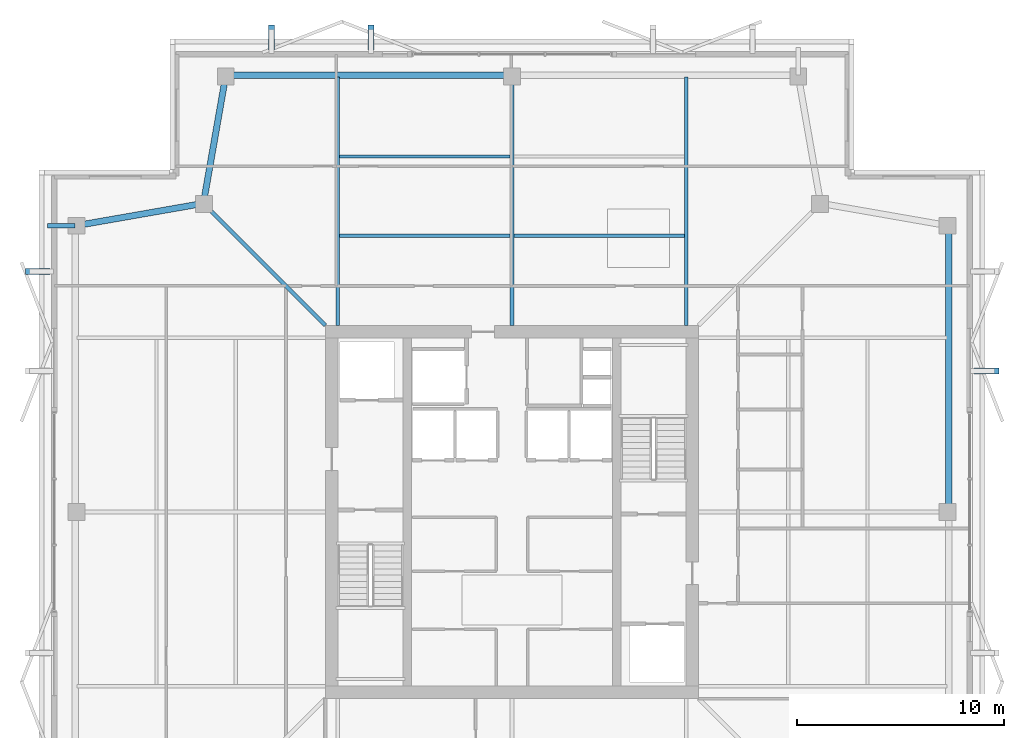
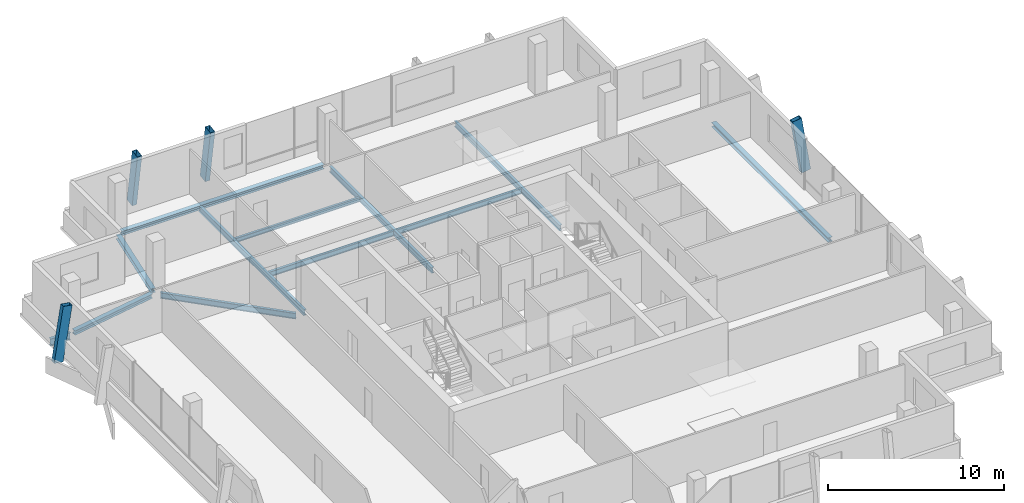
# One storey, part 9 of 17: 12 beams, 4 members.
"""IFC4 building model written with IfcOpenShell, lengths in metres."""

from ifc_helpers import new_model, si_unit, direction, frame, origin, origin_2d, place, context, subcontext, project, spatial, hollow_rectangle, i_section, extrude, material, material_profile, profile_set, type_object, element, save


model = new_model("IFC4")

# Units and contexts
model_context = context("Model", 3, precision=1e-05, world=origin(), true_north=direction((0.0, 1.0)))
body_context = subcontext(model_context, "Body", "Model", "MODEL_VIEW")
ifc_project = project(units=[si_unit("LENGTHUNIT", "METRE"), si_unit("AREAUNIT", "SQUARE_METRE"), si_unit("VOLUMEUNIT", "CUBIC_METRE"), si_unit("PLANEANGLEUNIT", "RADIAN"), si_unit("MASSUNIT", "GRAM", prefix="KILO")], contexts=[model_context])

# Site, building, storey
site_placement = place(None, origin())
site = spatial("IfcSite", under=ifc_project, at=site_placement, CompositionType="ELEMENT")
building_placement = place(site_placement, origin())
building = spatial("IfcBuilding", under=site, at=building_placement, Name="Belovzor Exchange Tower", CompositionType="ELEMENT")
storey_placement = place(building_placement, frame((0.0, 0.0, 333.0)))
storey = spatial("IfcBuildingStorey", under=building, at=storey_placement, Name="L83", CompositionType="ELEMENT", Elevation=333.0)

# Beams
ifc_material_1 = material(Name="Steel S355", Category="steel")
ifc_material_profile_1 = material_profile(ifc_material_1, i_section(OverallWidth=0.199951171875, OverallDepth=0.5, WebThickness=0.01025390625, FlangeThickness=0.01611328125, at=origin_2d()))
ifc_profile_set_1 = profile_set([ifc_material_profile_1], Name="Steel S355")
beam_type_1 = type_object("IfcBeamType", Name="Planted Balcony Cantilever Beam IPE 500", PredefinedType="BEAM", material=ifc_profile_set_1)
beam_1_placement = place(storey_placement, frame((7.721923828125, 42.60009765625, -0.489990234375), z_axis=(-1.0, 0.0, 0.0), x_axis=(0.0, -1.0, 0.0)))
element("IfcBeam", 1, at=beam_1_placement, inside=storey, type_object=beam_type_1, Name="BC-500 Planted Balcony Cantilever Beam IPE 500", PredefinedType="BEAM", context=body_context, shape_type="SweptSolid", body=[
    extrude(i_section(OverallWidth=0.199951171875, OverallDepth=0.5, WebThickness=0.01025390625, FlangeThickness=0.01611328125, at=origin_2d()), origin(), (0.0, 0.0, 1.0), 1.322021484375),
])
ifc_material_2 = material(Name="Steel S355", Category="steel")
ifc_material_profile_2 = material_profile(ifc_material_2, i_section(OverallWidth=0.169921875, OverallDepth=0.360107421875, WebThickness=0.008056640625, FlangeThickness=0.0126953125, at=origin_2d()))
ifc_profile_set_2 = profile_set([ifc_material_profile_2], Name="Steel S355")
beam_type_2 = type_object("IfcBeamType", Name="Secondary Infill Floor Joist IPE 360", PredefinedType="BEAM", material=ifc_profile_set_2)
beam_2_placement = place(storey_placement, frame((20.489990234375, 42.114990234375, -0.419921875), z_axis=(1.0, 0.0, 0.0), x_axis=(0.0, 1.0, 0.0)))
element("IfcBeam", 2, at=beam_2_placement, inside=storey, type_object=beam_type_2, Name="FJ-360 Secondary Infill Floor Joist IPE 360", PredefinedType="BEAM", context=body_context, shape_type="SweptSolid", body=[
    extrude(i_section(OverallWidth=0.169921875, OverallDepth=0.360107421875, WebThickness=0.008056640625, FlangeThickness=0.0126953125, at=origin_2d()), origin(), (0.0, 0.0, 1.0), 8.219970703125),
])
beam_3_placement = place(storey_placement, frame((28.889892578125, 42.114990234375, -0.419921875), z_axis=(1.0, 0.0, 0.0), x_axis=(0.0, 1.0, 0.0)))
element("IfcBeam", 3, at=beam_3_placement, inside=storey, type_object=beam_type_2, Name="FJ-360 Secondary Infill Floor Joist IPE 360", PredefinedType="BEAM", context=body_context, shape_type="SweptSolid", body=[
    extrude(i_section(OverallWidth=0.169921875, OverallDepth=0.360107421875, WebThickness=0.008056640625, FlangeThickness=0.0126953125, at=origin_2d()), origin(), (0.0, 0.0, 1.0), 8.22021484375),
])
ifc_material_3 = material(Name="Steel S355", Category="steel")
ifc_material_profile_3 = material_profile(ifc_material_3, i_section(OverallWidth=0.14990234375, OverallDepth=0.300048828125, WebThickness=0.007080078125, FlangeThickness=0.0107421875, at=origin_2d()))
ifc_profile_set_3 = profile_set([ifc_material_profile_3], Name="Steel S355")
beam_type_3 = type_object("IfcBeamType", Name="Secondary Trim Floor Joist IPE 300", PredefinedType="BEAM", material=ifc_profile_set_3)
beam_4_placement = place(storey_placement, frame((20.489990234375, 45.950927734375, -0.389892578125), z_axis=(1.0, 0.0, 0.0), x_axis=(0.0, 1.0, 0.0)))
element("IfcBeam", 4, at=beam_4_placement, inside=storey, type_object=beam_type_3, Name="FJ-300 Secondary Trim Floor Joist IPE 300", PredefinedType="BEAM", context=body_context, shape_type="SweptSolid", body=[
    extrude(i_section(OverallWidth=0.14990234375, OverallDepth=0.300048828125, WebThickness=0.007080078125, FlangeThickness=0.0107421875, at=origin_2d()), origin(), (0.0, 0.0, 1.0), 8.219970703125),
])

# Members
ifc_material_4 = material(Name="Extruded Architectural Terracotta on Steel S355 Carrier", Category="masonry")
ifc_material_profile_4 = material_profile(ifc_material_4, hollow_rectangle(XDim=0.300048828125, YDim=0.60009765625, WallThickness=0.01611328125, at=origin_2d()))
ifc_profile_set_4 = profile_set([ifc_material_profile_4], Name="Extruded Architectural Terracotta on Steel S355 Carrier")
member_type = type_object("IfcMemberType", Name="Upper Crown Terracotta Fin Assembly 550", PredefinedType="USERDEFINED", material=ifc_profile_set_4)
for number, where, z_axis, x_axis, name in (
    (5, (17.199951171875, 51.97509765625, -0.239990234375), (0.0, -0.158015573692, 0.987436619977), (1.0, 0.0, 0.0), "FIN-TC055 Terracotta Facade Fin L83 N1"),
    (6, (22.0, 51.97509765625, -0.239990234375), (0.0, -0.158015573692, 0.987436619977), (1.0, 0.0, 0.0), "FIN-TC055 Terracotta Facade Fin L83 N2"),
    (7, (51.97509765625, 35.60009765625, -0.239990234375), (-0.158015573692, 0.0, 0.987436619977), (0.0, -1.0, 0.0), "FIN-TC055 Terracotta Facade Fin L83 E3"),
    (8, (5.625, 40.39990234375, -0.239990234375), (0.158015573692, 0.0, 0.987436619977), (0.0, 1.0, 0.0), "FIN-TC055 Terracotta Facade Fin L83 W4"),
):
    element("IfcMember", number, at=place(storey_placement, frame(where, z_axis=z_axis, x_axis=x_axis)), inside=storey, type_object=member_type, Name=name, ObjectType="FIN", PredefinedType="USERDEFINED", context=body_context, shape_type="SweptSolid", body=[
        extrude(hollow_rectangle(XDim=0.300048828125, YDim=0.60009765625, WallThickness=0.01611328125, at=origin_2d()), origin(), (0.0, 0.0, 1.0), 3.797607421875),
    ])

# Beams
ifc_material_5 = material(Name="Steel S355", Category="steel")
ifc_material_profile_5 = material_profile(ifc_material_5, i_section(OverallWidth=0.179931640625, OverallDepth=0.39990234375, WebThickness=0.008544921875, FlangeThickness=0.013427734375, at=origin_2d()))
ifc_profile_set_5 = profile_set([ifc_material_profile_5], Name="Steel S355")
beam_type_4 = type_object("IfcBeamType", Name="Zone 5-6 Radial Composite Floor Beam IPE 400", PredefinedType="BEAM", material=ifc_profile_set_5)
beam_5_placement = place(storey_placement, frame((20.39990234375, 37.800048828125, -0.43994140625), z_axis=(0.0, 1.0, 0.0), x_axis=(-1.0, 0.0, 0.0)))
element("IfcBeam", 9, at=beam_5_placement, inside=storey, type_object=beam_type_4, Name="FB-400 Zone 5-6 Radial Composite Floor Beam IPE 400", PredefinedType="BEAM", context=body_context, shape_type="SweptSolid", body=[
    extrude(i_section(OverallWidth=0.179931640625, OverallDepth=0.39990234375, WebThickness=0.008544921875, FlangeThickness=0.013427734375, at=origin_2d()), origin(), (0.0, 0.0, 1.0), 11.987060546875),
])
beam_6_placement = place(storey_placement, frame((28.800048828125, 37.800048828125, -0.43994140625), z_axis=(0.0, 1.0, 0.0), x_axis=(-1.0, 0.0, 0.0)))
element("IfcBeam", 10, at=beam_6_placement, inside=storey, type_object=beam_type_4, Name="FB-400 Zone 5-6 Radial Composite Floor Beam IPE 400", PredefinedType="BEAM", context=body_context, shape_type="SweptSolid", body=[
    extrude(i_section(OverallWidth=0.179931640625, OverallDepth=0.39990234375, WebThickness=0.008544921875, FlangeThickness=0.013427734375, at=origin_2d()), origin(), (0.0, 0.0, 1.0), 11.65185546875),
])
beam_7_placement = place(storey_placement, frame((37.199951171875, 37.800048828125, -0.43994140625), z_axis=(0.0, 1.0, 0.0), x_axis=(-1.0, 0.0, 0.0)))
element("IfcBeam", 11, at=beam_7_placement, inside=storey, type_object=beam_type_4, Name="FB-400 Zone 5-6 Radial Composite Floor Beam IPE 400", PredefinedType="BEAM", context=body_context, shape_type="SweptSolid", body=[
    extrude(i_section(OverallWidth=0.179931640625, OverallDepth=0.39990234375, WebThickness=0.008544921875, FlangeThickness=0.013427734375, at=origin_2d()), origin(), (0.0, 0.0, 1.0), 11.987060546875),
])
beam_8_placement = place(storey_placement, frame((19.800048828125, 37.800048828125, -0.43994140625), z_axis=(-0.707045599549, 0.707167957531, 0.0), x_axis=(-0.707167957531, -0.707045599549, 0.0)))
element("IfcBeam", 12, at=beam_8_placement, inside=storey, type_object=beam_type_4, Name="FB-400 Zone 5-6 Radial Composite Floor Beam IPE 400", PredefinedType="BEAM", context=body_context, shape_type="SweptSolid", body=[
    extrude(i_section(OverallWidth=0.179931640625, OverallDepth=0.39990234375, WebThickness=0.008544921875, FlangeThickness=0.013427734375, at=origin_2d()), origin(), (0.0, 0.0, 1.0), 7.981201171875),
])
ifc_material_6 = material(Name="Steel S355", Category="steel")
ifc_material_profile_6 = material_profile(ifc_material_6, i_section(OverallWidth=0.300048828125, OverallDepth=0.300048828125, WebThickness=0.008544921875, FlangeThickness=0.013916015625, at=origin_2d()))
ifc_profile_set_6 = profile_set([ifc_material_profile_6], Name="Steel S355")
beam_type_5 = type_object("IfcBeamType", Name="Zone 6 Primary Girder HEA 300", PredefinedType="BEAM", material=ifc_profile_set_6)
for number, where, z_axis, x_axis, name in (
    (13, (49.862060546875, 29.06103515625, -0.389892578125), (0.0, 1.0, 0.0), (-1.0, 0.0, 0.0), "FG-Z6 Zone 6 Primary Girder HEA 300"),
    (14, (28.5390625, 49.862060546875, -0.389892578125), (-1.0, 0.0, 0.0), (0.0, -1.0, 0.0), "FG-Z6 Zone 6 Primary Girder HEA 300"),
):
    element("IfcBeam", number, at=place(storey_placement, frame(where, z_axis=z_axis, x_axis=x_axis)), inside=storey, type_object=beam_type_5, Name=name, PredefinedType="BEAM", context=body_context, shape_type="SweptSolid", body=[
        extrude(i_section(OverallWidth=0.300048828125, OverallDepth=0.300048828125, WebThickness=0.008544921875, FlangeThickness=0.013916015625, at=origin_2d()), origin(), (0.0, 0.0, 1.0), 13.278076171875),
    ])
for number, where, z_axis, x_axis, name in (
    (15, (14.955078125, 49.60498046875, -0.389892578125), (-0.172252684082, -0.985052796974, 0.0), (0.985052796974, -0.172252684082, 0.0), "FG-Z6 Zone 6 Primary Girder HEA 300"),
    (16, (13.662109375, 43.635986328125, -0.389892578125), (-0.985052796974, -0.172252684082, 0.0), (0.172252684082, -0.985052796974, 0.0), "FG-Z6 Zone 6 Primary Girder HEA 300"),
):
    element("IfcBeam", number, at=place(storey_placement, frame(where, z_axis=z_axis, x_axis=x_axis)), inside=storey, type_object=beam_type_5, Name=name, PredefinedType="BEAM", context=body_context, shape_type="SweptSolid", body=[
        extrude(i_section(OverallWidth=0.300048828125, OverallDepth=0.300048828125, WebThickness=0.008544921875, FlangeThickness=0.013916015625, at=origin_2d()), origin(), (0.0, 0.0, 1.0), 5.7529296875),
    ])

save(model, "model.ifc")
